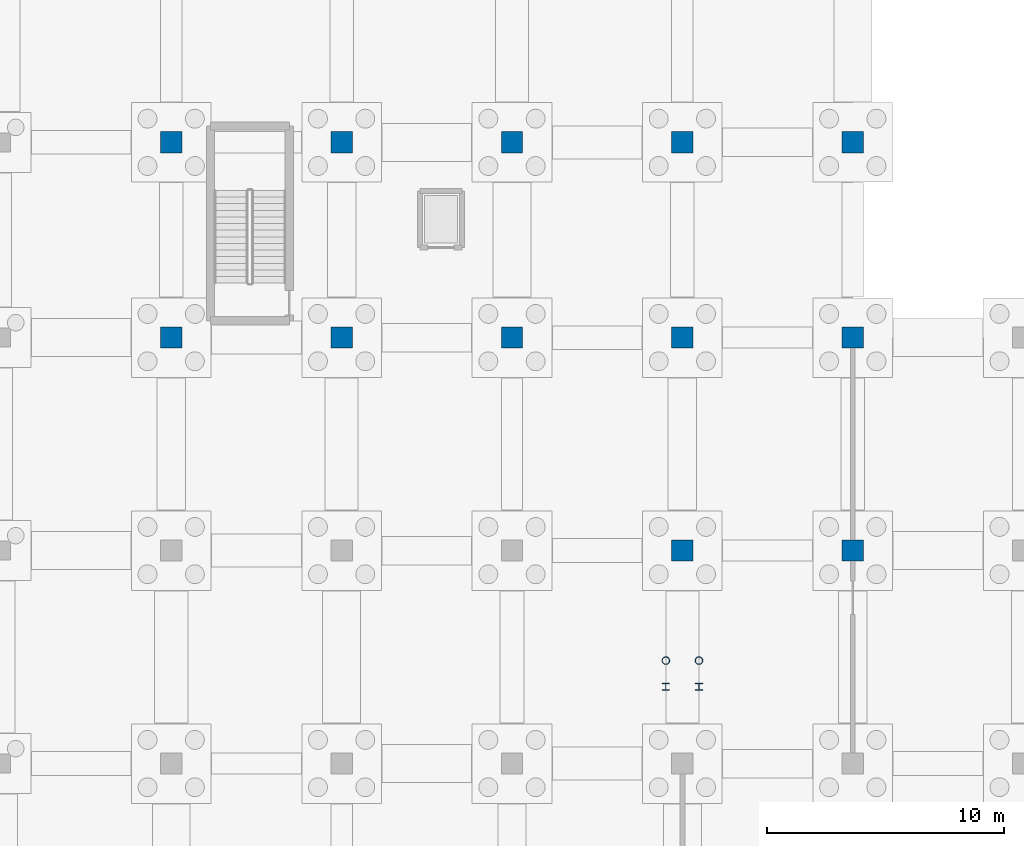
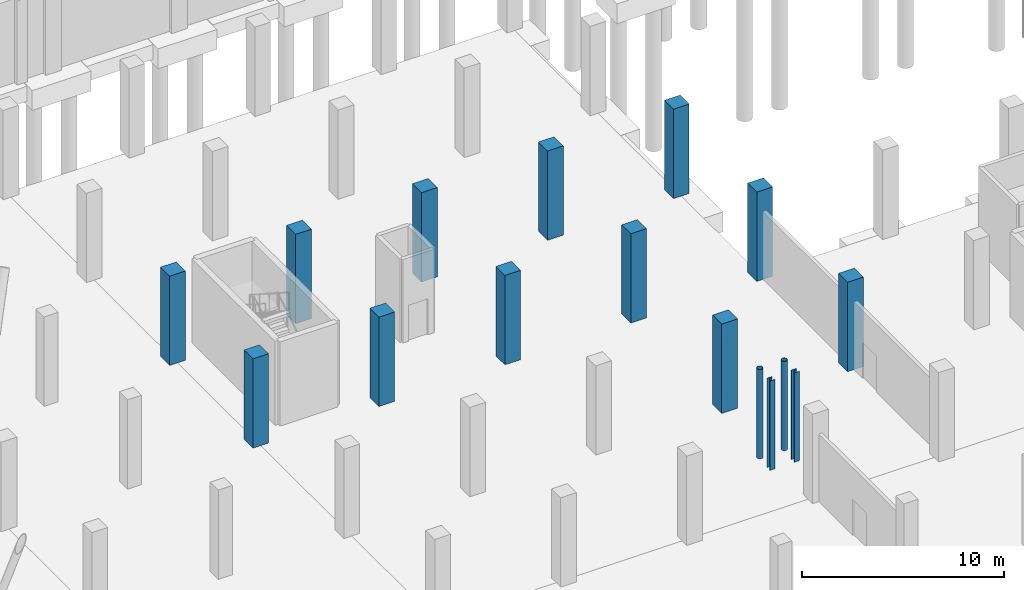
# One storey, part 17 of 42: 16 columns.
"""IFC4 building model written with IfcOpenShell, lengths in metres."""

from ifc_helpers import new_model, si_unit, direction, frame, origin, origin_2d, place, context, subcontext, project, spatial, rectangle, hollow_circle, i_section, extrude, material, material_profile, profile_set, type_object, element, save


model = new_model("IFC4")

# Units and contexts
model_context = context("Model", 3, precision=1e-05, world=origin(), true_north=direction((0.0, 1.0)))
body_context = subcontext(model_context, "Body", "Model", "MODEL_VIEW")
ifc_project = project(units=[si_unit("LENGTHUNIT", "METRE"), si_unit("AREAUNIT", "SQUARE_METRE"), si_unit("VOLUMEUNIT", "CUBIC_METRE"), si_unit("PLANEANGLEUNIT", "RADIAN"), si_unit("MASSUNIT", "GRAM", prefix="KILO")], contexts=[model_context])

# Site, building, storey
site_placement = place(None, origin())
site = spatial("IfcSite", under=ifc_project, at=site_placement, CompositionType="ELEMENT")
building_placement = place(site_placement, origin())
building = spatial("IfcBuilding", under=site, at=building_placement, Name="Sundgate Opera House", CompositionType="ELEMENT")
storey_placement = place(building_placement, frame((0.0, 0.0, -5.39990234375)))
storey = spatial("IfcBuildingStorey", under=building, at=storey_placement, Name="B01", CompositionType="ELEMENT", Elevation=-5.39990234375)

# Columns
ifc_material_1 = material(Name="Steel S355J2", Category="steel")
ifc_material_profile_1 = material_profile(ifc_material_1, hollow_circle(Radius=0.161865234375, WallThickness=0.01611328125, at=origin_2d()), Name="CHS 323.9x16.0")
ifc_profile_set_1 = profile_set([ifc_material_profile_1], Name="Steel S355J2")
column_type_1 = type_object("IfcColumnType", Name="CL-CHS-324", PredefinedType="COLUMN", material=ifc_profile_set_1)
for number, where, z_axis, x_axis, name in (
    (1, (116.300048828125, 73.35009765625, 0.0), (0.0, 0.0, 1.0), (1.0, 0.0, 0.0), "Orchestra Observation Gallery Straight Stair Post C B01"),
    (2, (117.699951171875, 73.35009765625, 0.0), (0.0, 0.0, 1.0), (1.0, 0.0, 0.0), "Orchestra Observation Gallery Straight Stair Post D B01"),
):
    element("IfcColumn", number, at=place(storey_placement, frame(where, z_axis=z_axis, x_axis=x_axis)), inside=storey, type_object=column_type_1, Name=name, PredefinedType="COLUMN", context=body_context, shape_type="SweptSolid", body=[
        extrude(hollow_circle(Radius=0.161865234375, WallThickness=0.01611328125, at=origin_2d()), origin(), (0.0, 0.0, 1.0), 5.39990234375),
    ])
ifc_material_2 = material(Name="Concrete C40/50", Category="concrete")
ifc_material_profile_2 = material_profile(ifc_material_2, rectangle(XDim=0.89990234375, YDim=0.89990234375, at=origin_2d()), Name="RC 900x900")
ifc_profile_set_2 = profile_set([ifc_material_profile_2], Name="Concrete C40/50")
column_type_2 = type_object("IfcColumnType", Name="CL-RC-900", PredefinedType="COLUMN", material=ifc_profile_set_2)
for number, where, z_axis, x_axis, name in (
    (3, (95.39990234375, 87.0, 0.0), (0.0, 0.0, 1.0), (1.0, 0.0, 0.0), "B01 Column C0668"),
    (4, (95.39990234375, 95.25, 0.0), (0.0, 0.0, 1.0), (1.0, 0.0, 0.0), "B01 Column C0674"),
    (5, (102.60009765625, 87.0, 0.0), (0.0, 0.0, 1.0), (1.0, 0.0, 0.0), "B01 Column C0732"),
    (6, (102.60009765625, 95.25, 0.0), (0.0, 0.0, 1.0), (1.0, 0.0, 0.0), "B01 Column C0738"),
    (7, (109.800048828125, 87.0, 0.0), (0.0, 0.0, 1.0), (1.0, 0.0, 0.0), "B01 Column C0793"),
    (8, (109.800048828125, 95.25, 0.0), (0.0, 0.0, 1.0), (1.0, 0.0, 0.0), "B01 Column C0799"),
    (9, (117.0, 78.0, 0.0), (0.0, 0.0, 1.0), (1.0, 0.0, 0.0), "B01 Column C0854"),
    (10, (117.0, 87.0, 0.0), (0.0, 0.0, 1.0), (1.0, 0.0, 0.0), "B01 Column C0857"),
    (11, (117.0, 95.25, 0.0), (0.0, 0.0, 1.0), (1.0, 0.0, 0.0), "B01 Column C0863"),
    (12, (124.199951171875, 78.0, 0.0), (0.0, 0.0, 1.0), (1.0, 0.0, 0.0), "B01 Column C0914"),
    (13, (124.199951171875, 87.0, 0.0), (0.0, 0.0, 1.0), (1.0, 0.0, 0.0), "B01 Column C0920"),
    (14, (124.199951171875, 95.25, 0.0), (0.0, 0.0, 1.0), (1.0, 0.0, 0.0), "B01 Column C0926"),
):
    element("IfcColumn", number, at=place(storey_placement, frame(where, z_axis=z_axis, x_axis=x_axis)), inside=storey, type_object=column_type_2, Name=name, PredefinedType="COLUMN", context=body_context, shape_type="SweptSolid", body=[
        extrude(rectangle(XDim=0.89990234375, YDim=0.89990234375, at=origin_2d()), origin(), (0.0, 0.0, 1.0), 5.39990234375),
    ])
ifc_material_3 = material(Name="Steel S355J2", Category="steel")
ifc_material_profile_3 = material_profile(ifc_material_3, i_section(OverallWidth=0.300048828125, OverallDepth=0.300048828125, WebThickness=0.010986328125, FlangeThickness=0.01904296875, at=origin_2d()), Name="HEB 300")
ifc_profile_set_3 = profile_set([ifc_material_profile_3], Name="Steel S355J2")
column_type_3 = type_object("IfcColumnType", Name="CL-STL-300", PredefinedType="COLUMN", material=ifc_profile_set_3)
for number, where, z_axis, x_axis, name in (
    (15, (116.300048828125, 72.25, 0.0), (0.0, 0.0, 1.0), (1.0, 0.0, 0.0), "Orchestra Observation Gallery Straight Stair Post A B01"),
    (16, (117.699951171875, 72.25, 0.0), (0.0, 0.0, 1.0), (1.0, 0.0, 0.0), "Orchestra Observation Gallery Straight Stair Post B B01"),
):
    element("IfcColumn", number, at=place(storey_placement, frame(where, z_axis=z_axis, x_axis=x_axis)), inside=storey, type_object=column_type_3, Name=name, PredefinedType="COLUMN", context=body_context, shape_type="SweptSolid", body=[
        extrude(i_section(OverallWidth=0.300048828125, OverallDepth=0.300048828125, WebThickness=0.010986328125, FlangeThickness=0.01904296875, at=origin_2d()), origin(), (0.0, 0.0, 1.0), 5.39990234375),
    ])

save(model, "model.ifc")
